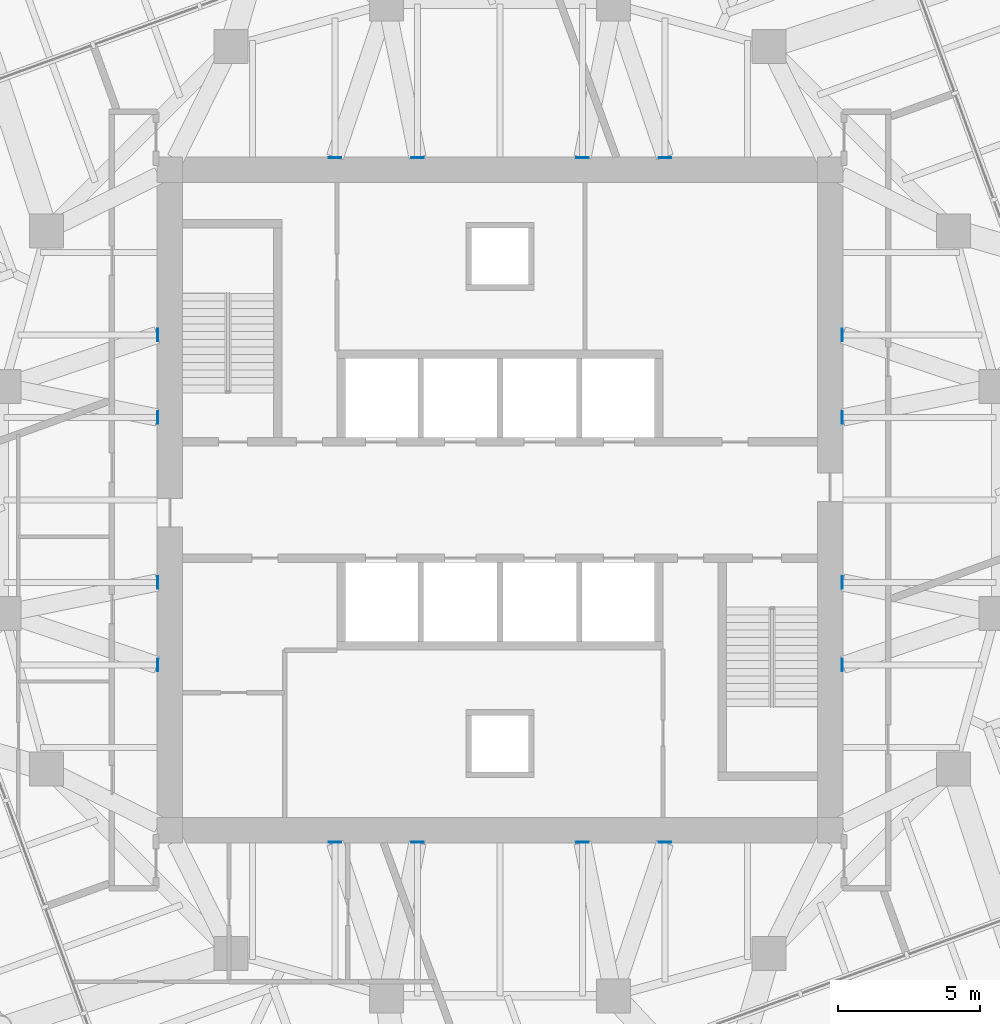
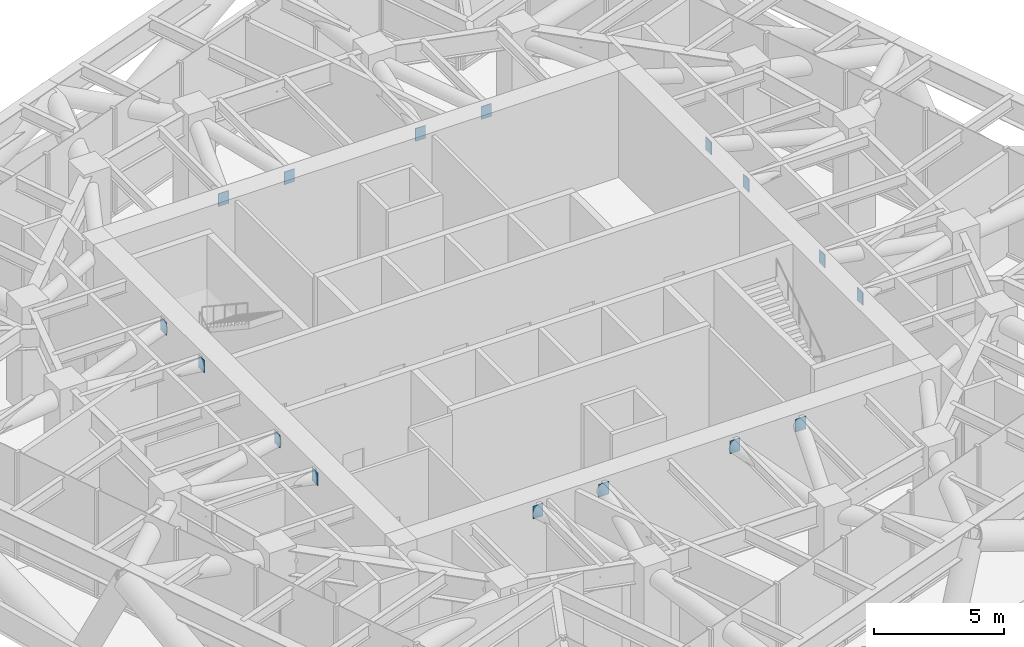
# One storey, part 11 of 12: 16 discrete accessories.
"""IFC4 building model written with IfcOpenShell, lengths in metres."""

from ifc_helpers import new_model, si_unit, direction, frame, origin, origin_2d, place, context, subcontext, project, spatial, rectangle, extrude, material, layer, layer_set, type_object, element, save


model = new_model("IFC4")

# Units and contexts
model_context = context("Model", 3, precision=1e-05, world=origin(), true_north=direction((0.0, 1.0)))
body_context = subcontext(model_context, "Body", "Model", "MODEL_VIEW")
ifc_project = project(units=[si_unit("LENGTHUNIT", "METRE"), si_unit("AREAUNIT", "SQUARE_METRE"), si_unit("VOLUMEUNIT", "CUBIC_METRE"), si_unit("PLANEANGLEUNIT", "RADIAN"), si_unit("MASSUNIT", "GRAM", prefix="KILO")], contexts=[model_context])

# Site, building, storey
site_placement = place(None, origin())
site = spatial("IfcSite", under=ifc_project, at=site_placement, CompositionType="ELEMENT")
building_placement = place(site_placement, origin())
building = spatial("IfcBuilding", under=site, at=building_placement, Name="Torsade Residences", CompositionType="ELEMENT")
storey_placement = place(building_placement, frame((0.0, 0.0, 138.800048828125)))
storey = spatial("IfcBuildingStorey", under=building, at=storey_placement, Name="L38", CompositionType="ELEMENT", Elevation=138.800048828125)

# Discrete accessories
ifc_material = material(Name="Steel grade 350", Category="steel")
ifc_layer = layer(ifc_material, 0.031982421875)
ifc_layer_set = layer_set([ifc_layer], Name="Steel grade 350")
discrete_accessory_type = type_object("IfcDiscreteAccessoryType", Name="CAST-IN PLATE 450x600x32", PredefinedType="ANCHORPLATE", material=ifc_layer_set)
for number, where, z_axis, x_axis, name in (
    (1, (52.083984375, 27.08740234375, 4.135986328125), (0.0, 0.0, 1.0), (1.0, 0.0, 0.0), "Cast-in plate PB1 PB-L39-IR01IE03"),
    (2, (52.083984375, 24.175048828125, 4.135986328125), (0.0, 0.0, 1.0), (1.0, 0.0, 0.0), "Cast-in plate PB1 PB-L39-IR01IE02"),
    (3, (52.083984375, 32.91259765625, 4.135986328125), (0.0, 0.0, 1.0), (1.0, 0.0, 0.0), "Cast-in plate PB1 PB-L39-IR02IE05"),
    (4, (52.083984375, 35.824951171875, 4.135986328125), (0.0, 0.0, 1.0), (1.0, 0.0, 0.0), "Cast-in plate PB1 PB-L39-IR02IE06"),
):
    element("IfcDiscreteAccessory", number, at=place(storey_placement, frame(where, z_axis=z_axis, x_axis=x_axis)), inside=storey, type_object=discrete_accessory_type, Name=name, PredefinedType="ANCHORPLATE", context=body_context, shape_type="SweptSolid", body=[
        extrude(rectangle(XDim=0.031982421875, YDim=0.449951171875, at=origin_2d()), origin(), (0.0, 0.0, 1.0), 0.60009765625),
    ])
for number, where, z_axis, x_axis, name in (
    (5, (42.91259765625, 42.083984375, 4.135986328125), (0.0, 0.0, 1.0), (1.0, 0.0, 0.0), "Cast-in plate PB1 PB-L39-IR05IN05"),
    (6, (45.824951171875, 42.083984375, 4.135986328125), (0.0, 0.0, 1.0), (1.0, 0.0, 0.0), "Cast-in plate PB1 PB-L39-IR05IN06"),
    (7, (37.08740234375, 42.083984375, 4.135986328125), (0.0, 0.0, 1.0), (1.0, 0.0, 0.0), "Cast-in plate PB1 PB-L39-IR06IN03"),
    (8, (34.175048828125, 42.083984375, 4.135986328125), (0.0, 0.0, 1.0), (1.0, 0.0, 0.0), "Cast-in plate PB1 PB-L39-IR06IN02"),
):
    element("IfcDiscreteAccessory", number, at=place(storey_placement, frame(where, z_axis=z_axis, x_axis=x_axis)), inside=storey, type_object=discrete_accessory_type, Name=name, PredefinedType="ANCHORPLATE", context=body_context, shape_type="SweptSolid", body=[
        extrude(rectangle(XDim=0.449951171875, YDim=0.031982421875, at=origin_2d()), origin(), (0.0, 0.0, 1.0), 0.60009765625),
    ])
for number, where, z_axis, x_axis, name in (
    (9, (27.916015625, 32.91259765625, 4.135986328125), (0.0, 0.0, 1.0), (1.0, 0.0, 0.0), "Cast-in plate PB1 PB-L39-IR09IW03"),
    (10, (27.916015625, 35.824951171875, 4.135986328125), (0.0, 0.0, 1.0), (1.0, 0.0, 0.0), "Cast-in plate PB1 PB-L39-IR09IW02"),
    (11, (27.916015625, 27.08740234375, 4.135986328125), (0.0, 0.0, 1.0), (1.0, 0.0, 0.0), "Cast-in plate PB1 PB-L39-IR10IW05"),
    (12, (27.916015625, 24.175048828125, 4.135986328125), (0.0, 0.0, 1.0), (1.0, 0.0, 0.0), "Cast-in plate PB1 PB-L39-IR10IW06"),
):
    element("IfcDiscreteAccessory", number, at=place(storey_placement, frame(where, z_axis=z_axis, x_axis=x_axis)), inside=storey, type_object=discrete_accessory_type, Name=name, PredefinedType="ANCHORPLATE", context=body_context, shape_type="SweptSolid", body=[
        extrude(rectangle(XDim=0.031982421875, YDim=0.449951171875, at=origin_2d()), origin(), (0.0, 0.0, 1.0), 0.60009765625),
    ])
for number, where, z_axis, x_axis, name in (
    (13, (37.08740234375, 17.916015625, 4.135986328125), (0.0, 0.0, 1.0), (1.0, 0.0, 0.0), "Cast-in plate PB1 PB-L39-IR13IS05"),
    (14, (34.175048828125, 17.916015625, 4.135986328125), (0.0, 0.0, 1.0), (1.0, 0.0, 0.0), "Cast-in plate PB1 PB-L39-IR13IS06"),
    (15, (42.91259765625, 17.916015625, 4.135986328125), (0.0, 0.0, 1.0), (1.0, 0.0, 0.0), "Cast-in plate PB1 PB-L39-IR14IS03"),
    (16, (45.824951171875, 17.916015625, 4.135986328125), (0.0, 0.0, 1.0), (1.0, 0.0, 0.0), "Cast-in plate PB1 PB-L39-IR14IS02"),
):
    element("IfcDiscreteAccessory", number, at=place(storey_placement, frame(where, z_axis=z_axis, x_axis=x_axis)), inside=storey, type_object=discrete_accessory_type, Name=name, PredefinedType="ANCHORPLATE", context=body_context, shape_type="SweptSolid", body=[
        extrude(rectangle(XDim=0.449951171875, YDim=0.031982421875, at=origin_2d()), origin(), (0.0, 0.0, 1.0), 0.60009765625),
    ])

save(model, "model.ifc")
